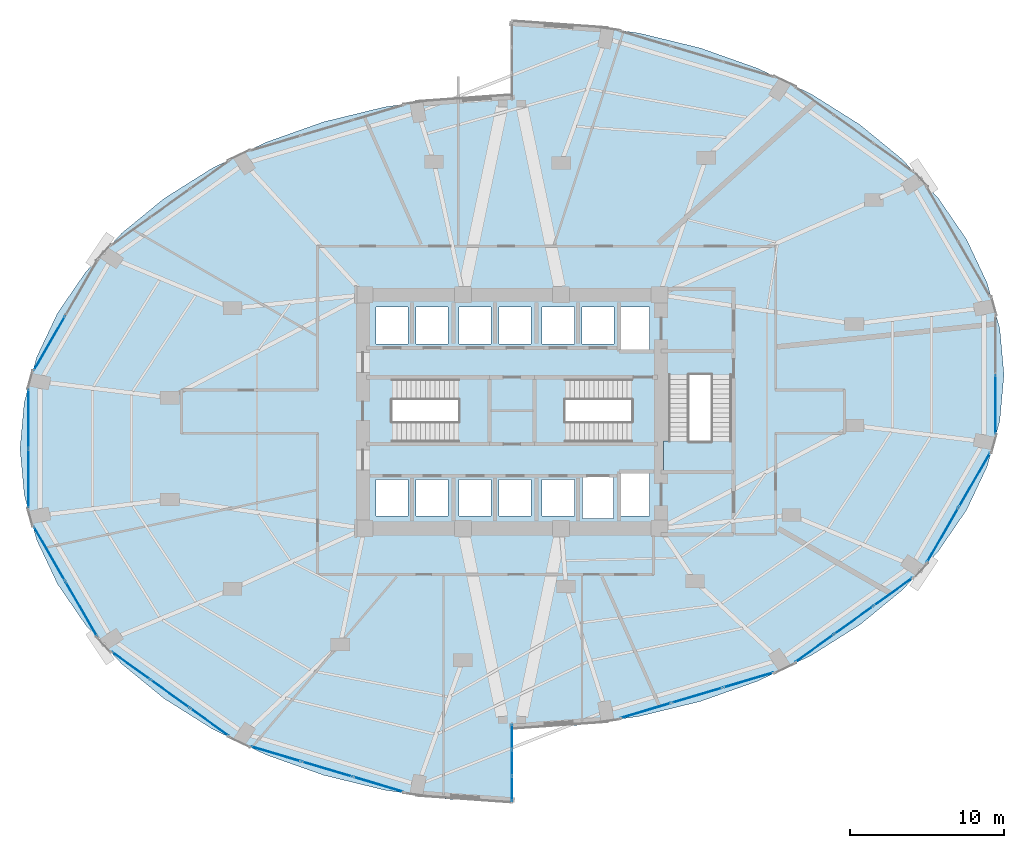
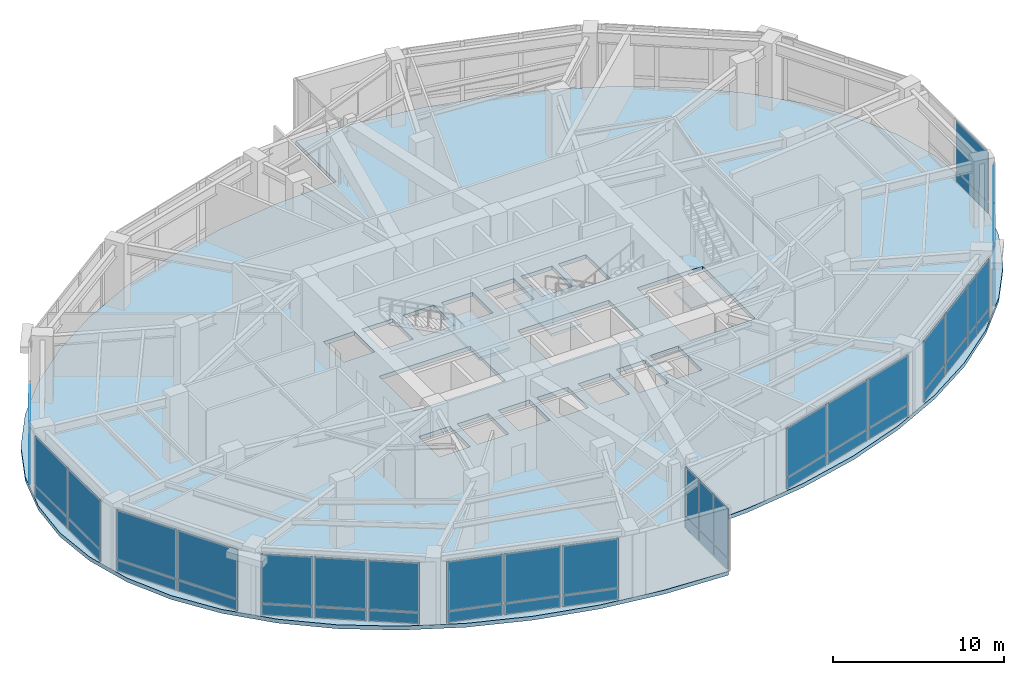
# One storey, part 19 of 24: 46 plates, 4 slabs, 13 elements without a shape of their own.
"""IFC4 building model written with IfcOpenShell, lengths in metres."""

from ifc_helpers import new_model, si_unit, direction, frame, origin, origin_2d, place, context, subcontext, project, spatial, polyline, rectangle, outline, extrude, material, layer, layer_set, type_object, element, aggregate, save


model = new_model("IFC4")

# Units and contexts
model_context = context("Model", 3, precision=1e-05, world=origin(), true_north=direction((0.0, 1.0)))
body_context = subcontext(model_context, "Body", "Model", "MODEL_VIEW")
ifc_project = project(units=[si_unit("LENGTHUNIT", "METRE"), si_unit("AREAUNIT", "SQUARE_METRE"), si_unit("VOLUMEUNIT", "CUBIC_METRE"), si_unit("PLANEANGLEUNIT", "RADIAN"), si_unit("MASSUNIT", "GRAM", prefix="KILO")], contexts=[model_context])

# Site, building, storey
site_placement = place(None, origin())
site = spatial("IfcSite", under=ifc_project, at=site_placement, CompositionType="ELEMENT")
building_placement = place(site_placement, origin())
building = spatial("IfcBuilding", under=site, at=building_placement, Name="Lazwardi Medical Tower", CompositionType="ELEMENT")
storey_placement = place(building_placement, frame((0.0, 0.0, 6.0)))
storey = spatial("IfcBuildingStorey", under=building, at=storey_placement, Name="L01", CompositionType="ELEMENT", Elevation=6.0)

# Curtain wall, plates
ifc_material_1 = material(Name="Anodised bronze aluminium and solar control glazing", Category="aluminium")
ifc_layer_1 = layer(ifc_material_1, 0.219970703125)
ifc_layer_set_1 = layer_set([ifc_layer_1], Name="Anodised bronze aluminium and solar control glazing")
curtain_wall_type_1 = type_object("IfcCurtainWallType", Name="CW-SYS-01", PredefinedType="NOTDEFINED", material=ifc_layer_set_1)
curtain_wall_1_placement = place(storey_placement, origin())
curtain_wall_1 = element("IfcCurtainWall", 1, at=curtain_wall_1_placement, inside=storey, type_object=curtain_wall_type_1, Name="L01 Unitised bronze curtain wall CW-01", PredefinedType="NOTDEFINED")
ifc_material_2 = material(Name="Bronze girih ceramic-frit spandrel glazing", Category="glass")
ifc_layer_2 = layer(ifc_material_2, 0.048095703125)
ifc_layer_set_2 = layer_set([ifc_layer_2], Name="Bronze girih ceramic-frit spandrel glazing")
plate_type_1 = type_object("IfcPlateType", Name="PLT-FRT-01", PredefinedType="CURTAIN_PANEL", material=ifc_layer_set_2)
plate_1_placement = place(storey_placement, frame((44.689453125, 8.552001953125, 0.0849609375), z_axis=(0.0, 0.0, 1.0), x_axis=(0.958513482597, 0.285047195531, 0.0)))
plate_1 = element("IfcPlate", 2, at=plate_1_placement, type_object=plate_type_1, Name="CW-01 panel 1.1", PredefinedType="CURTAIN_PANEL", context=body_context, shape_type="SweptSolid", body=[
    extrude(rectangle(XDim=3.380126953125, YDim=0.048095703125, at=origin_2d()), origin(), (0.0, 0.0, 1.0), 0.7724609375),
])
plate_2_placement = place(storey_placement, frame((48.031494140625, 9.5458984375, 0.0849609375), z_axis=(0.0, 0.0, 1.0), x_axis=(0.958513482597, 0.285047195531, 0.0)))
plate_2 = element("IfcPlate", 3, at=plate_2_placement, type_object=plate_type_1, Name="CW-01 panel 2.1", PredefinedType="CURTAIN_PANEL", context=body_context, shape_type="SweptSolid", body=[
    extrude(rectangle(XDim=3.422607421875, YDim=0.048095703125, at=origin_2d()), origin(), (0.0, 0.0, 1.0), 0.7724609375),
])
plate_3_placement = place(storey_placement, frame((51.373291015625, 10.539794921875, 0.0849609375), z_axis=(0.0, 0.0, 1.0), x_axis=(0.958513482597, 0.285047195531, 0.0)))
plate_3 = element("IfcPlate", 4, at=plate_3_placement, type_object=plate_type_1, Name="CW-01 panel 3.1", PredefinedType="CURTAIN_PANEL", context=body_context, shape_type="SweptSolid", body=[
    extrude(rectangle(XDim=3.380126953125, YDim=0.048095703125, at=origin_2d()), origin(), (0.0, 0.0, 1.0), 0.7724609375),
])

curtain_wall_2_placement = place(storey_placement, origin())
curtain_wall_2 = element("IfcCurtainWall", 5, at=curtain_wall_2_placement, inside=storey, type_object=curtain_wall_type_1, Name="L01 Unitised bronze curtain wall CW-01", PredefinedType="NOTDEFINED")
plate_4_placement = place(storey_placement, frame((55.675048828125, 12.603759765625, 0.0849609375), z_axis=(0.0, 0.0, 1.0), x_axis=(0.812318365083, 0.583214260584, 0.0)))
plate_4 = element("IfcPlate", 6, at=plate_4_placement, type_object=plate_type_1, Name="CW-01 panel 1.1", PredefinedType="CURTAIN_PANEL", context=body_context, shape_type="SweptSolid", body=[
    extrude(rectangle(XDim=3.040283203125, YDim=0.048095703125, at=origin_2d()), origin(), (0.0, 0.0, 1.0), 0.7724609375),
])
plate_5_placement = place(storey_placement, frame((58.231201171875, 14.43896484375, 0.0849609375), z_axis=(0.0, 0.0, 1.0), x_axis=(0.812318365083, 0.583214260584, 0.0)))
plate_5 = element("IfcPlate", 7, at=plate_5_placement, type_object=plate_type_1, Name="CW-01 panel 2.1", PredefinedType="CURTAIN_PANEL", context=body_context, shape_type="SweptSolid", body=[
    extrude(rectangle(XDim=3.082763671875, YDim=0.048095703125, at=origin_2d()), origin(), (0.0, 0.0, 1.0), 0.7724609375),
])
plate_6_placement = place(storey_placement, frame((60.787109375, 16.274169921875, 0.0849609375), z_axis=(0.0, 0.0, 1.0), x_axis=(0.812318365083, 0.583214260584, 0.0)))
plate_6 = element("IfcPlate", 8, at=plate_6_placement, type_object=plate_type_1, Name="CW-01 panel 3.1", PredefinedType="CURTAIN_PANEL", context=body_context, shape_type="SweptSolid", body=[
    extrude(rectangle(XDim=3.040283203125, YDim=0.048095703125, at=origin_2d()), origin(), (0.0, 0.0, 1.0), 0.7724609375),
])

curtain_wall_3_placement = place(storey_placement, origin())
curtain_wall_3 = element("IfcCurtainWall", 9, at=curtain_wall_3_placement, inside=storey, type_object=curtain_wall_type_1, Name="L01 Unitised bronze curtain wall CW-01", PredefinedType="NOTDEFINED")
plate_7_placement = place(storey_placement, frame((64.012451171875, 19.969970703125, 0.0849609375), z_axis=(0.0, 0.0, 1.0), x_axis=(0.499731082384, 0.866180607783, 0.0)))
plate_7 = element("IfcPlate", 10, at=plate_7_placement, type_object=plate_type_1, Name="CW-01 panel 1.1", PredefinedType="CURTAIN_PANEL", context=body_context, shape_type="SweptSolid", body=[
    extrude(rectangle(XDim=4.052734375, YDim=0.048095703125, at=origin_2d()), origin(), (0.0, 0.0, 1.0), 0.7724609375),
])
plate_8_placement = place(storey_placement, frame((66.080322265625, 23.553955078125, 0.0849609375), z_axis=(0.0, 0.0, 1.0), x_axis=(0.499731082384, 0.866180607783, 0.0)))
plate_8 = element("IfcPlate", 11, at=plate_8_placement, type_object=plate_type_1, Name="CW-01 panel 2.1", PredefinedType="CURTAIN_PANEL", context=body_context, shape_type="SweptSolid", body=[
    extrude(rectangle(XDim=4.052734375, YDim=0.048095703125, at=origin_2d()), origin(), (0.0, 0.0, 1.0), 0.7724609375),
])

# Curtain wall, plate
curtain_wall_4_placement = place(storey_placement, origin())
curtain_wall_4 = element("IfcCurtainWall", 12, at=curtain_wall_4_placement, inside=storey, type_object=curtain_wall_type_1, Name="L01 Unitised bronze curtain wall CW-01", PredefinedType="NOTDEFINED")
plate_9_placement = place(storey_placement, frame((67.439697265625, 28.461669921875, 0.0849609375), z_axis=(0.0, 0.0, 1.0), x_axis=(0.0, 1.0, 0.0)))
plate_9 = element("IfcPlate", 13, at=plate_9_placement, type_object=plate_type_1, Name="CW-01 panel 1.1", PredefinedType="CURTAIN_PANEL", context=body_context, shape_type="SweptSolid", body=[
    extrude(rectangle(XDim=3.791748046875, YDim=0.048095703125, at=origin_2d()), origin(), (0.0, 0.0, 1.0), 0.7724609375),
])

curtain_wall_5_placement = place(storey_placement, origin())
curtain_wall_5 = element("IfcCurtainWall", 14, at=curtain_wall_5_placement, inside=storey, type_object=curtain_wall_type_1, Name="L01 Unitised bronze curtain wall CW-01", PredefinedType="NOTDEFINED")
plate_10_placement = place(storey_placement, frame((5.919677734375, 32.446044921875, 0.0849609375), z_axis=(0.0, 0.0, 1.0), x_axis=(-0.499731082384, -0.866180607783, 0.0)))
plate_10 = element("IfcPlate", 15, at=plate_10_placement, type_object=plate_type_1, Name="CW-01 panel 2.1", PredefinedType="CURTAIN_PANEL", context=body_context, shape_type="SweptSolid", body=[
    extrude(rectangle(XDim=4.052734375, YDim=0.048095703125, at=origin_2d()), origin(), (0.0, 0.0, 1.0), 0.7724609375),
])

# Curtain wall, plates
curtain_wall_6_placement = place(storey_placement, origin())
curtain_wall_6 = element("IfcCurtainWall", 16, at=curtain_wall_6_placement, inside=storey, type_object=curtain_wall_type_1, Name="L01 Unitised bronze curtain wall CW-01", PredefinedType="NOTDEFINED")
plate_11_placement = place(storey_placement, frame((4.560302734375, 27.538330078125, 0.0849609375), z_axis=(0.0, 0.0, 1.0), x_axis=(0.0, -1.0, 0.0)))
plate_11 = element("IfcPlate", 17, at=plate_11_placement, type_object=plate_type_1, Name="CW-01 panel 1.1", PredefinedType="CURTAIN_PANEL", context=body_context, shape_type="SweptSolid", body=[
    extrude(rectangle(XDim=3.791748046875, YDim=0.048095703125, at=origin_2d()), origin(), (0.0, 0.0, 1.0), 0.7724609375),
])
plate_12_placement = place(storey_placement, frame((4.560302734375, 23.66162109375, 0.0849609375), z_axis=(0.0, 0.0, 1.0), x_axis=(0.0, -1.0, 0.0)))
plate_12 = element("IfcPlate", 18, at=plate_12_placement, type_object=plate_type_1, Name="CW-01 panel 2.1", PredefinedType="CURTAIN_PANEL", context=body_context, shape_type="SweptSolid", body=[
    extrude(rectangle(XDim=3.791748046875, YDim=0.048095703125, at=origin_2d()), origin(), (0.0, 0.0, 1.0), 0.7724609375),
])

curtain_wall_7_placement = place(storey_placement, origin())
curtain_wall_7 = element("IfcCurtainWall", 19, at=curtain_wall_7_placement, inside=storey, type_object=curtain_wall_type_1, Name="L01 Unitised bronze curtain wall CW-01", PredefinedType="NOTDEFINED")
plate_13_placement = place(storey_placement, frame((5.919677734375, 18.75390625, 0.0849609375), z_axis=(0.0, 0.0, 1.0), x_axis=(0.499731082384, -0.866180607783, 0.0)))
plate_13 = element("IfcPlate", 20, at=plate_13_placement, type_object=plate_type_1, Name="CW-01 panel 1.1", PredefinedType="CURTAIN_PANEL", context=body_context, shape_type="SweptSolid", body=[
    extrude(rectangle(XDim=4.052734375, YDim=0.048095703125, at=origin_2d()), origin(), (0.0, 0.0, 1.0), 0.7724609375),
])
plate_14_placement = place(storey_placement, frame((7.987548828125, 15.169921875, 0.0849609375), z_axis=(0.0, 0.0, 1.0), x_axis=(0.499731082384, -0.866180607783, 0.0)))
plate_14 = element("IfcPlate", 21, at=plate_14_placement, type_object=plate_type_1, Name="CW-01 panel 2.1", PredefinedType="CURTAIN_PANEL", context=body_context, shape_type="SweptSolid", body=[
    extrude(rectangle(XDim=4.052734375, YDim=0.048095703125, at=origin_2d()), origin(), (0.0, 0.0, 1.0), 0.7724609375),
])

curtain_wall_8_placement = place(storey_placement, origin())
curtain_wall_8 = element("IfcCurtainWall", 22, at=curtain_wall_8_placement, inside=storey, type_object=curtain_wall_type_1, Name="L01 Unitised bronze curtain wall CW-01", PredefinedType="NOTDEFINED")
plate_15_placement = place(storey_placement, frame((11.212890625, 11.47412109375, 0.0849609375), z_axis=(0.0, 0.0, 1.0), x_axis=(0.812318365083, -0.583214260584, 0.0)))
plate_15 = element("IfcPlate", 23, at=plate_15_placement, type_object=plate_type_1, Name="CW-01 panel 1.1", PredefinedType="CURTAIN_PANEL", context=body_context, shape_type="SweptSolid", body=[
    extrude(rectangle(XDim=3.040283203125, YDim=0.048095703125, at=origin_2d()), origin(), (0.0, 0.0, 1.0), 0.7724609375),
])
plate_16_placement = place(storey_placement, frame((13.768798828125, 9.638916015625, 0.0849609375), z_axis=(0.0, 0.0, 1.0), x_axis=(0.812318365083, -0.583214260584, 0.0)))
plate_16 = element("IfcPlate", 24, at=plate_16_placement, type_object=plate_type_1, Name="CW-01 panel 2.1", PredefinedType="CURTAIN_PANEL", context=body_context, shape_type="SweptSolid", body=[
    extrude(rectangle(XDim=3.082763671875, YDim=0.048095703125, at=origin_2d()), origin(), (0.0, 0.0, 1.0), 0.7724609375),
])
plate_17_placement = place(storey_placement, frame((16.324951171875, 7.803955078125, 0.0849609375), z_axis=(0.0, 0.0, 1.0), x_axis=(0.812318365083, -0.583214260584, 0.0)))
plate_17 = element("IfcPlate", 25, at=plate_17_placement, type_object=plate_type_1, Name="CW-01 panel 3.1", PredefinedType="CURTAIN_PANEL", context=body_context, shape_type="SweptSolid", body=[
    extrude(rectangle(XDim=3.040283203125, YDim=0.048095703125, at=origin_2d()), origin(), (0.0, 0.0, 1.0), 0.7724609375),
])

curtain_wall_9_placement = place(storey_placement, origin())
curtain_wall_9 = element("IfcCurtainWall", 26, at=curtain_wall_9_placement, inside=storey, type_object=curtain_wall_type_1, Name="L01 Unitised bronze curtain wall CW-01", PredefinedType="NOTDEFINED")
plate_18_placement = place(storey_placement, frame((20.626708984375, 5.73974609375, 0.0849609375), z_axis=(0.0, 0.0, 1.0), x_axis=(0.958513482597, -0.285047195531, 0.0)))
plate_18 = element("IfcPlate", 27, at=plate_18_placement, type_object=plate_type_1, Name="CW-01 panel 1.1", PredefinedType="CURTAIN_PANEL", context=body_context, shape_type="SweptSolid", body=[
    extrude(rectangle(XDim=3.380126953125, YDim=0.048095703125, at=origin_2d()), origin(), (0.0, 0.0, 1.0), 0.7724609375),
])
plate_19_placement = place(storey_placement, frame((23.968505859375, 4.745849609375, 0.0849609375), z_axis=(0.0, 0.0, 1.0), x_axis=(0.958513482597, -0.285047195531, 0.0)))
plate_19 = element("IfcPlate", 28, at=plate_19_placement, type_object=plate_type_1, Name="CW-01 panel 2.1", PredefinedType="CURTAIN_PANEL", context=body_context, shape_type="SweptSolid", body=[
    extrude(rectangle(XDim=3.422607421875, YDim=0.048095703125, at=origin_2d()), origin(), (0.0, 0.0, 1.0), 0.7724609375),
])
plate_20_placement = place(storey_placement, frame((27.310546875, 3.752197265625, 0.0849609375), z_axis=(0.0, 0.0, 1.0), x_axis=(0.958513482597, -0.285047195531, 0.0)))
plate_20 = element("IfcPlate", 29, at=plate_20_placement, type_object=plate_type_1, Name="CW-01 panel 3.1", PredefinedType="CURTAIN_PANEL", context=body_context, shape_type="SweptSolid", body=[
    extrude(rectangle(XDim=3.380126953125, YDim=0.048095703125, at=origin_2d()), origin(), (0.0, 0.0, 1.0), 0.7724609375),
])

# Plate
ifc_material_3 = material(Name="Laminated acoustic bronze double glazing", Category="glass")
ifc_layer_3 = layer(ifc_material_3, 0.0419921875)
ifc_layer_set_3 = layer_set([ifc_layer_3], Name="Laminated acoustic bronze double glazing")
plate_type_2 = type_object("IfcPlateType", Name="PLT-GLZ-02", PredefinedType="CURTAIN_PANEL", material=ifc_layer_set_3)
plate_21_placement = place(storey_placement, frame((44.689453125, 8.552001953125, 0.9423828125), z_axis=(0.0, 0.0, 1.0), x_axis=(0.958513482597, 0.285047195531, 0.0)))
plate_21 = element("IfcPlate", 30, at=plate_21_placement, type_object=plate_type_2, Name="CW-01 panel 1.2", PredefinedType="CURTAIN_PANEL", context=body_context, shape_type="SweptSolid", body=[
    extrude(rectangle(XDim=3.380126953125, YDim=0.0419921875, at=origin_2d()), origin(), (0.0, 0.0, 1.0), 3.492431640625),
])

plate_22_placement = place(storey_placement, frame((48.031494140625, 9.5458984375, 0.9423828125), z_axis=(0.0, 0.0, 1.0), x_axis=(0.958513482597, 0.285047195531, 0.0)))
plate_22 = element("IfcPlate", 31, at=plate_22_placement, type_object=plate_type_2, Name="CW-01 panel 2.2", PredefinedType="CURTAIN_PANEL", context=body_context, shape_type="SweptSolid", body=[
    extrude(rectangle(XDim=3.422607421875, YDim=0.0419921875, at=origin_2d()), origin(), (0.0, 0.0, 1.0), 3.492431640625),
])

plate_23_placement = place(storey_placement, frame((51.373291015625, 10.539794921875, 0.9423828125), z_axis=(0.0, 0.0, 1.0), x_axis=(0.958513482597, 0.285047195531, 0.0)))
plate_23 = element("IfcPlate", 32, at=plate_23_placement, type_object=plate_type_2, Name="CW-01 panel 3.2", PredefinedType="CURTAIN_PANEL", context=body_context, shape_type="SweptSolid", body=[
    extrude(rectangle(XDim=3.380126953125, YDim=0.0419921875, at=origin_2d()), origin(), (0.0, 0.0, 1.0), 3.492431640625),
])

aggregate(curtain_wall_1, [plate_1, plate_21, plate_2, plate_22, plate_3, plate_23])

plate_24_placement = place(storey_placement, frame((55.675048828125, 12.603759765625, 0.9423828125), z_axis=(0.0, 0.0, 1.0), x_axis=(0.812318365083, 0.583214260584, 0.0)))
plate_24 = element("IfcPlate", 33, at=plate_24_placement, type_object=plate_type_2, Name="CW-01 panel 1.2", PredefinedType="CURTAIN_PANEL", context=body_context, shape_type="SweptSolid", body=[
    extrude(rectangle(XDim=3.040283203125, YDim=0.0419921875, at=origin_2d()), origin(), (0.0, 0.0, 1.0), 3.492431640625),
])

plate_25_placement = place(storey_placement, frame((58.231201171875, 14.43896484375, 0.9423828125), z_axis=(0.0, 0.0, 1.0), x_axis=(0.812318365083, 0.583214260584, 0.0)))
plate_25 = element("IfcPlate", 34, at=plate_25_placement, type_object=plate_type_2, Name="CW-01 panel 2.2", PredefinedType="CURTAIN_PANEL", context=body_context, shape_type="SweptSolid", body=[
    extrude(rectangle(XDim=3.082763671875, YDim=0.0419921875, at=origin_2d()), origin(), (0.0, 0.0, 1.0), 3.492431640625),
])

plate_26_placement = place(storey_placement, frame((60.787109375, 16.274169921875, 0.9423828125), z_axis=(0.0, 0.0, 1.0), x_axis=(0.812318365083, 0.583214260584, 0.0)))
plate_26 = element("IfcPlate", 35, at=plate_26_placement, type_object=plate_type_2, Name="CW-01 panel 3.2", PredefinedType="CURTAIN_PANEL", context=body_context, shape_type="SweptSolid", body=[
    extrude(rectangle(XDim=3.040283203125, YDim=0.0419921875, at=origin_2d()), origin(), (0.0, 0.0, 1.0), 3.492431640625),
])

aggregate(curtain_wall_2, [plate_4, plate_24, plate_5, plate_25, plate_6, plate_26])

plate_27_placement = place(storey_placement, frame((64.012451171875, 19.969970703125, 0.9423828125), z_axis=(0.0, 0.0, 1.0), x_axis=(0.499731082384, 0.866180607783, 0.0)))
plate_27 = element("IfcPlate", 36, at=plate_27_placement, type_object=plate_type_2, Name="CW-01 panel 1.2", PredefinedType="CURTAIN_PANEL", context=body_context, shape_type="SweptSolid", body=[
    extrude(rectangle(XDim=4.052734375, YDim=0.0419921875, at=origin_2d()), origin(), (0.0, 0.0, 1.0), 3.492431640625),
])

plate_28_placement = place(storey_placement, frame((66.080322265625, 23.553955078125, 0.9423828125), z_axis=(0.0, 0.0, 1.0), x_axis=(0.499731082384, 0.866180607783, 0.0)))
plate_28 = element("IfcPlate", 37, at=plate_28_placement, type_object=plate_type_2, Name="CW-01 panel 2.2", PredefinedType="CURTAIN_PANEL", context=body_context, shape_type="SweptSolid", body=[
    extrude(rectangle(XDim=4.052734375, YDim=0.0419921875, at=origin_2d()), origin(), (0.0, 0.0, 1.0), 3.492431640625),
])

aggregate(curtain_wall_3, [plate_7, plate_27, plate_8, plate_28])

plate_29_placement = place(storey_placement, frame((67.439697265625, 28.461669921875, 0.9423828125), z_axis=(0.0, 0.0, 1.0), x_axis=(0.0, 1.0, 0.0)))
plate_29 = element("IfcPlate", 38, at=plate_29_placement, type_object=plate_type_2, Name="CW-01 panel 1.2", PredefinedType="CURTAIN_PANEL", context=body_context, shape_type="SweptSolid", body=[
    extrude(rectangle(XDim=3.791748046875, YDim=0.0419921875, at=origin_2d()), origin(), (0.0, 0.0, 1.0), 3.492431640625),
])

aggregate(curtain_wall_4, [plate_9, plate_29])

plate_30_placement = place(storey_placement, frame((5.919677734375, 32.446044921875, 0.9423828125), z_axis=(0.0, 0.0, 1.0), x_axis=(-0.499731082384, -0.866180607783, 0.0)))
plate_30 = element("IfcPlate", 39, at=plate_30_placement, type_object=plate_type_2, Name="CW-01 panel 2.2", PredefinedType="CURTAIN_PANEL", context=body_context, shape_type="SweptSolid", body=[
    extrude(rectangle(XDim=4.052734375, YDim=0.0419921875, at=origin_2d()), origin(), (0.0, 0.0, 1.0), 3.492431640625),
])

aggregate(curtain_wall_5, [plate_10, plate_30])

plate_31_placement = place(storey_placement, frame((4.560302734375, 27.538330078125, 0.9423828125), z_axis=(0.0, 0.0, 1.0), x_axis=(0.0, -1.0, 0.0)))
plate_31 = element("IfcPlate", 40, at=plate_31_placement, type_object=plate_type_2, Name="CW-01 panel 1.2", PredefinedType="CURTAIN_PANEL", context=body_context, shape_type="SweptSolid", body=[
    extrude(rectangle(XDim=3.791748046875, YDim=0.0419921875, at=origin_2d()), origin(), (0.0, 0.0, 1.0), 3.492431640625),
])

plate_32_placement = place(storey_placement, frame((4.560302734375, 23.66162109375, 0.9423828125), z_axis=(0.0, 0.0, 1.0), x_axis=(0.0, -1.0, 0.0)))
plate_32 = element("IfcPlate", 41, at=plate_32_placement, type_object=plate_type_2, Name="CW-01 panel 2.2", PredefinedType="CURTAIN_PANEL", context=body_context, shape_type="SweptSolid", body=[
    extrude(rectangle(XDim=3.791748046875, YDim=0.0419921875, at=origin_2d()), origin(), (0.0, 0.0, 1.0), 3.492431640625),
])

aggregate(curtain_wall_6, [plate_11, plate_31, plate_12, plate_32])

plate_33_placement = place(storey_placement, frame((5.919677734375, 18.75390625, 0.9423828125), z_axis=(0.0, 0.0, 1.0), x_axis=(0.499731082384, -0.866180607783, 0.0)))
plate_33 = element("IfcPlate", 42, at=plate_33_placement, type_object=plate_type_2, Name="CW-01 panel 1.2", PredefinedType="CURTAIN_PANEL", context=body_context, shape_type="SweptSolid", body=[
    extrude(rectangle(XDim=4.052734375, YDim=0.0419921875, at=origin_2d()), origin(), (0.0, 0.0, 1.0), 3.492431640625),
])

plate_34_placement = place(storey_placement, frame((7.987548828125, 15.169921875, 0.9423828125), z_axis=(0.0, 0.0, 1.0), x_axis=(0.499731082384, -0.866180607783, 0.0)))
plate_34 = element("IfcPlate", 43, at=plate_34_placement, type_object=plate_type_2, Name="CW-01 panel 2.2", PredefinedType="CURTAIN_PANEL", context=body_context, shape_type="SweptSolid", body=[
    extrude(rectangle(XDim=4.052734375, YDim=0.0419921875, at=origin_2d()), origin(), (0.0, 0.0, 1.0), 3.492431640625),
])

aggregate(curtain_wall_7, [plate_13, plate_33, plate_14, plate_34])

plate_35_placement = place(storey_placement, frame((11.212890625, 11.47412109375, 0.9423828125), z_axis=(0.0, 0.0, 1.0), x_axis=(0.812318365083, -0.583214260584, 0.0)))
plate_35 = element("IfcPlate", 44, at=plate_35_placement, type_object=plate_type_2, Name="CW-01 panel 1.2", PredefinedType="CURTAIN_PANEL", context=body_context, shape_type="SweptSolid", body=[
    extrude(rectangle(XDim=3.040283203125, YDim=0.0419921875, at=origin_2d()), origin(), (0.0, 0.0, 1.0), 3.492431640625),
])

plate_36_placement = place(storey_placement, frame((13.768798828125, 9.638916015625, 0.9423828125), z_axis=(0.0, 0.0, 1.0), x_axis=(0.812318365083, -0.583214260584, 0.0)))
plate_36 = element("IfcPlate", 45, at=plate_36_placement, type_object=plate_type_2, Name="CW-01 panel 2.2", PredefinedType="CURTAIN_PANEL", context=body_context, shape_type="SweptSolid", body=[
    extrude(rectangle(XDim=3.082763671875, YDim=0.0419921875, at=origin_2d()), origin(), (0.0, 0.0, 1.0), 3.492431640625),
])

plate_37_placement = place(storey_placement, frame((16.324951171875, 7.803955078125, 0.9423828125), z_axis=(0.0, 0.0, 1.0), x_axis=(0.812318365083, -0.583214260584, 0.0)))
plate_37 = element("IfcPlate", 46, at=plate_37_placement, type_object=plate_type_2, Name="CW-01 panel 3.2", PredefinedType="CURTAIN_PANEL", context=body_context, shape_type="SweptSolid", body=[
    extrude(rectangle(XDim=3.040283203125, YDim=0.0419921875, at=origin_2d()), origin(), (0.0, 0.0, 1.0), 3.492431640625),
])

aggregate(curtain_wall_8, [plate_15, plate_35, plate_16, plate_36, plate_17, plate_37])

plate_38_placement = place(storey_placement, frame((20.626708984375, 5.73974609375, 0.9423828125), z_axis=(0.0, 0.0, 1.0), x_axis=(0.958513482597, -0.285047195531, 0.0)))
plate_38 = element("IfcPlate", 47, at=plate_38_placement, type_object=plate_type_2, Name="CW-01 panel 1.2", PredefinedType="CURTAIN_PANEL", context=body_context, shape_type="SweptSolid", body=[
    extrude(rectangle(XDim=3.380126953125, YDim=0.0419921875, at=origin_2d()), origin(), (0.0, 0.0, 1.0), 3.492431640625),
])

plate_39_placement = place(storey_placement, frame((23.968505859375, 4.745849609375, 0.9423828125), z_axis=(0.0, 0.0, 1.0), x_axis=(0.958513482597, -0.285047195531, 0.0)))
plate_39 = element("IfcPlate", 48, at=plate_39_placement, type_object=plate_type_2, Name="CW-01 panel 2.2", PredefinedType="CURTAIN_PANEL", context=body_context, shape_type="SweptSolid", body=[
    extrude(rectangle(XDim=3.422607421875, YDim=0.0419921875, at=origin_2d()), origin(), (0.0, 0.0, 1.0), 3.492431640625),
])

plate_40_placement = place(storey_placement, frame((27.310546875, 3.752197265625, 0.9423828125), z_axis=(0.0, 0.0, 1.0), x_axis=(0.958513482597, -0.285047195531, 0.0)))
plate_40 = element("IfcPlate", 49, at=plate_40_placement, type_object=plate_type_2, Name="CW-01 panel 3.2", PredefinedType="CURTAIN_PANEL", context=body_context, shape_type="SweptSolid", body=[
    extrude(rectangle(XDim=3.380126953125, YDim=0.0419921875, at=origin_2d()), origin(), (0.0, 0.0, 1.0), 3.492431640625),
])

aggregate(curtain_wall_9, [plate_18, plate_38, plate_19, plate_39, plate_20, plate_40])

# Curtain wall, plates
ifc_layer_4 = layer(ifc_material_1, 0.2099609375)
ifc_layer_set_4 = layer_set([ifc_layer_4], Name="Anodised bronze aluminium and solar control glazing")
curtain_wall_type_2 = type_object("IfcCurtainWallType", Name="CW-SYS-06", PredefinedType="NOTDEFINED", material=ifc_layer_set_4)
curtain_wall_10_placement = place(storey_placement, origin())
curtain_wall_10 = element("IfcCurtainWall", 50, at=curtain_wall_10_placement, inside=storey, type_object=curtain_wall_type_2, Name="L01 Unitised bronze curtain wall CW-06", PredefinedType="NOTDEFINED")
ifc_material_4 = material(Name="Turquoise glazed ceramic insulated panel", Category="glass")
ifc_layer_5 = layer(ifc_material_4, 0.053955078125)
ifc_layer_set_5 = layer_set([ifc_layer_5], Name="Turquoise glazed ceramic insulated panel")
plate_type_3 = type_object("IfcPlateType", Name="PLT-TRQ-01", PredefinedType="CURTAIN_PANEL", material=ifc_layer_set_5)
plate_41_placement = place(storey_placement, frame((36.0, 3.47216796875, 0.074951171875), z_axis=(0.0, 0.0, 1.0), x_axis=(0.0, 1.0, 0.0)))
plate_41 = element("IfcPlate", 51, at=plate_41_placement, type_object=plate_type_3, Name="CW-06 panel 1.1", PredefinedType="CURTAIN_PANEL", context=body_context, shape_type="SweptSolid", body=[
    extrude(rectangle(XDim=1.59423828125, YDim=0.053955078125, at=origin_2d()), origin(), (0.0, 0.0, 1.0), 0.78759765625),
])
plate_42_placement = place(storey_placement, frame((36.0, 3.47216796875, 0.9375), z_axis=(0.0, 0.0, 1.0), x_axis=(0.0, 1.0, 0.0)))
plate_42 = element("IfcPlate", 52, at=plate_42_placement, type_object=plate_type_3, Name="CW-06 panel 1.2", PredefinedType="CURTAIN_PANEL", context=body_context, shape_type="SweptSolid", body=[
    extrude(rectangle(XDim=1.59423828125, YDim=0.053955078125, at=origin_2d()), origin(), (0.0, 0.0, 1.0), 3.507568359375),
])
plate_43_placement = place(storey_placement, frame((36.0, 5.159912109375, 0.074951171875), z_axis=(0.0, 0.0, 1.0), x_axis=(0.0, 1.0, 0.0)))
plate_43 = element("IfcPlate", 53, at=plate_43_placement, type_object=plate_type_3, Name="CW-06 panel 2.1", PredefinedType="CURTAIN_PANEL", context=body_context, shape_type="SweptSolid", body=[
    extrude(rectangle(XDim=1.631591796875, YDim=0.053955078125, at=origin_2d()), origin(), (0.0, 0.0, 1.0), 0.78759765625),
])
plate_44_placement = place(storey_placement, frame((36.0, 5.159912109375, 0.9375), z_axis=(0.0, 0.0, 1.0), x_axis=(0.0, 1.0, 0.0)))
plate_44 = element("IfcPlate", 54, at=plate_44_placement, type_object=plate_type_3, Name="CW-06 panel 2.2", PredefinedType="CURTAIN_PANEL", context=body_context, shape_type="SweptSolid", body=[
    extrude(rectangle(XDim=1.631591796875, YDim=0.053955078125, at=origin_2d()), origin(), (0.0, 0.0, 1.0), 3.507568359375),
])
plate_45_placement = place(storey_placement, frame((36.0, 6.847900390625, 0.074951171875), z_axis=(0.0, 0.0, 1.0), x_axis=(0.0, 1.0, 0.0)))
plate_45 = element("IfcPlate", 55, at=plate_45_placement, type_object=plate_type_3, Name="CW-06 panel 3.1", PredefinedType="CURTAIN_PANEL", context=body_context, shape_type="SweptSolid", body=[
    extrude(rectangle(XDim=1.59423828125, YDim=0.053955078125, at=origin_2d()), origin(), (0.0, 0.0, 1.0), 0.78759765625),
])
plate_46_placement = place(storey_placement, frame((36.0, 6.847900390625, 0.9375), z_axis=(0.0, 0.0, 1.0), x_axis=(0.0, 1.0, 0.0)))
plate_46 = element("IfcPlate", 56, at=plate_46_placement, type_object=plate_type_3, Name="CW-06 panel 3.2", PredefinedType="CURTAIN_PANEL", context=body_context, shape_type="SweptSolid", body=[
    extrude(rectangle(XDim=1.59423828125, YDim=0.053955078125, at=origin_2d()), origin(), (0.0, 0.0, 1.0), 3.507568359375),
])
aggregate(curtain_wall_10, [plate_41, plate_42, plate_43, plate_44, plate_45, plate_46])

# Stair, slab
ifc_material_5 = material(Name="Concrete C45/55", Category="concrete")
stair_type = type_object("IfcStairType", Name="STR-POD", PredefinedType="HALF_TURN_STAIR", material=ifc_material_5)
stair_1_placement = place(storey_placement, origin())
stair_1 = element("IfcStair", 57, at=stair_1_placement, inside=storey, type_object=stair_type, Name="L01 Protected Exit Stair ST1", PredefinedType="HALF_TURN_STAIR")
ifc_layer_6 = layer(ifc_material_5, 0.199951171875)
ifc_layer_set_6 = layer_set([ifc_layer_6], Name="Concrete C45/55")
slab_type_1 = type_object("IfcSlabType", Name="SLB-LND-190", PredefinedType="LANDING", material=ifc_layer_set_6)
slab_1_placement = place(storey_placement, frame((0.0, 0.0, 2.199951171875)))
slab_1 = element("IfcSlab", 58, at=slab_1_placement, type_object=slab_type_1, Name="ST1 landing 1", PredefinedType="LANDING", context=body_context, shape_type="SweptSolid", body=[
    extrude(outline(polyline([(32.514892578125, 25.840087890625), (34.580078125, 25.840087890625), (34.580078125, 30.280029296875), (32.514892578125, 30.280029296875), (32.514892578125, 25.840087890625)])), origin(), (0.0, 0.0, 1.0), 0.199951171875),
])
aggregate(stair_1, [slab_1])

stair_2_placement = place(storey_placement, origin())
stair_2 = element("IfcStair", 59, at=stair_2_placement, inside=storey, type_object=stair_type, Name="L01 Protected Exit Stair ST2", PredefinedType="HALF_TURN_STAIR")
slab_2_placement = place(storey_placement, frame((0.0, 0.0, 2.199951171875)))
slab_2 = element("IfcSlab", 60, at=slab_2_placement, type_object=slab_type_1, Name="ST2 landing 1", PredefinedType="LANDING", context=body_context, shape_type="SweptSolid", body=[
    extrude(outline(polyline([(39.485107421875, 30.280029296875), (37.419921875, 30.280029296875), (37.419921875, 25.840087890625), (39.485107421875, 25.840087890625), (39.485107421875, 30.280029296875)])), origin(), (0.0, 0.0, 1.0), 0.199951171875),
])
aggregate(stair_2, [slab_2])

stair_3_placement = place(storey_placement, origin())
stair_3 = element("IfcStair", 61, at=stair_3_placement, inside=storey, type_object=stair_type, Name="L01 Protected Exit Stair ST3", PredefinedType="HALF_TURN_STAIR")
slab_3_placement = place(storey_placement, frame((0.0, 0.0, 2.199951171875)))
slab_3 = element("IfcSlab", 62, at=slab_3_placement, type_object=slab_type_1, Name="ST3 landing 1", PredefinedType="LANDING", context=body_context, shape_type="SweptSolid", body=[
    extrude(outline(polyline([(45.860107421875, 26.0849609375), (45.860107421875, 24.02001953125), (50.4599609375, 24.02001953125), (50.4599609375, 26.0849609375), (45.860107421875, 26.0849609375)])), origin(), (0.0, 0.0, 1.0), 0.199951171875),
])
aggregate(stair_3, [slab_3])

# Slab
ifc_material_6 = material(Name="Concrete C50/60", Category="concrete")
ifc_layer_7 = layer(ifc_material_6, 0.280029296875)
ifc_layer_set_7 = layer_set([ifc_layer_7], Name="Concrete C50/60")
slab_type_2 = type_object("IfcSlabType", Name="SLB-POD-280", PredefinedType="FLOOR", material=ifc_layer_set_7)
slab_4_placement = place(storey_placement, frame((0.0, 0.0, -0.280029296875)))
element("IfcSlab", 63, at=slab_4_placement, inside=storey, type_object=slab_type_2, Name="Structural floor slab SF-01 L01", PredefinedType="FLOOR", context=body_context, shape_type="SweptSolid", body=[
    extrude(outline(polyline([(6.435791015625, 34.401611328125), (5.09033203125, 31.552734375), (4.273681640625, 28.60205078125), (4.0, 25.60009765625), (4.273681640625, 22.597900390625), (5.09033203125, 19.647216796875), (6.435791015625, 16.79833984375), (8.287109375, 14.10009765625), (10.61279296875, 11.598388671875), (13.37255859375, 9.33642578125), (16.51953125, 7.352783203125), (20.0, 5.681396484375), (23.754150390625, 4.350830078125), (27.7177734375, 3.3837890625), (31.8232421875, 2.796875), (36.0, 2.60009765625), (36.0, 7.39990234375), (40.1767578125, 7.5966796875), (44.2822265625, 8.18359375), (48.245849609375, 9.15087890625), (52.0, 10.4814453125), (55.48046875, 12.15283203125), (58.62744140625, 14.136474609375), (61.38720703125, 16.3984375), (63.712890625, 18.89990234375), (65.564208984375, 21.598388671875), (66.90966796875, 24.447265625), (67.726318359375, 27.39794921875), (68.0, 30.39990234375), (67.726318359375, 33.402099609375), (66.90966796875, 36.352783203125), (65.564208984375, 39.20166015625), (63.712890625, 41.89990234375), (61.38720703125, 44.401611328125), (58.62744140625, 46.66357421875), (55.48046875, 48.647216796875), (52.0, 50.318603515625), (48.245849609375, 51.649169921875), (44.2822265625, 52.6162109375), (40.1767578125, 53.203125), (36.0, 53.39990234375), (36.0, 48.60009765625), (31.8232421875, 48.4033203125), (27.7177734375, 47.81640625), (23.754150390625, 46.84912109375), (20.0, 45.5185546875), (16.51953125, 43.84716796875), (13.37255859375, 41.863525390625), (10.61279296875, 39.6015625), (8.287109375, 37.10009765625), (6.435791015625, 34.401611328125)]), holes=[polyline([(28.22509765625, 26.02001953125), (28.22509765625, 30.10009765625), (34.39990234375, 30.10009765625), (34.39990234375, 26.02001953125), (28.22509765625, 26.02001953125)]), polyline([(37.60009765625, 30.10009765625), (43.77490234375, 30.10009765625), (43.77490234375, 26.02001953125), (37.60009765625, 26.02001953125), (37.60009765625, 30.10009765625)]), polyline([(50.280029296875, 30.375), (50.280029296875, 24.179931640625), (45.840087890625, 24.179931640625), (45.840087890625, 30.375), (50.280029296875, 30.375)]), polyline([(29.25, 32.39990234375), (27.14990234375, 32.39990234375), (27.14990234375, 34.800048828125), (29.25, 34.800048828125), (29.25, 32.39990234375)]), polyline([(29.75, 32.39990234375), (29.75, 34.800048828125), (31.85009765625, 34.800048828125), (31.85009765625, 32.39990234375), (29.75, 32.39990234375)]), polyline([(27.14990234375, 23.60009765625), (29.25, 23.60009765625), (29.25, 21.199951171875), (27.14990234375, 21.199951171875), (27.14990234375, 23.60009765625)]), polyline([(31.85009765625, 23.60009765625), (31.85009765625, 21.199951171875), (29.75, 21.199951171875), (29.75, 23.60009765625), (31.85009765625, 23.60009765625)]), polyline([(34.64990234375, 32.39990234375), (32.550048828125, 32.39990234375), (32.550048828125, 34.800048828125), (34.64990234375, 34.800048828125), (34.64990234375, 32.39990234375)]), polyline([(35.14990234375, 32.39990234375), (35.14990234375, 34.800048828125), (37.25, 34.800048828125), (37.25, 32.39990234375), (35.14990234375, 32.39990234375)]), polyline([(32.550048828125, 23.60009765625), (34.64990234375, 23.60009765625), (34.64990234375, 21.199951171875), (32.550048828125, 21.199951171875), (32.550048828125, 23.60009765625)]), polyline([(37.25, 23.60009765625), (37.25, 21.199951171875), (35.14990234375, 21.199951171875), (35.14990234375, 23.60009765625), (37.25, 23.60009765625)]), polyline([(40.050048828125, 32.39990234375), (37.949951171875, 32.39990234375), (37.949951171875, 34.800048828125), (40.050048828125, 34.800048828125), (40.050048828125, 32.39990234375)]), polyline([(40.550048828125, 32.39990234375), (40.550048828125, 34.800048828125), (42.64990234375, 34.800048828125), (42.64990234375, 32.39990234375), (40.550048828125, 32.39990234375)]), polyline([(37.949951171875, 23.60009765625), (40.050048828125, 23.60009765625), (40.050048828125, 21.199951171875), (37.949951171875, 21.199951171875), (37.949951171875, 23.60009765625)]), polyline([(44.949951171875, 34.800048828125), (44.949951171875, 32.0), (43.050048828125, 32.0), (43.050048828125, 34.800048828125), (44.949951171875, 34.800048828125)]), polyline([(44.949951171875, 21.199951171875), (43.050048828125, 21.199951171875), (43.050048828125, 24.0), (44.949951171875, 24.0), (44.949951171875, 21.199951171875)]), polyline([(40.60009765625, 21.050048828125), (40.60009765625, 23.75), (42.60009765625, 23.75), (42.60009765625, 21.050048828125), (40.60009765625, 21.050048828125)])]), origin(), (0.0, 0.0, 1.0), 0.280029296875),
])

save(model, "model.ifc")
